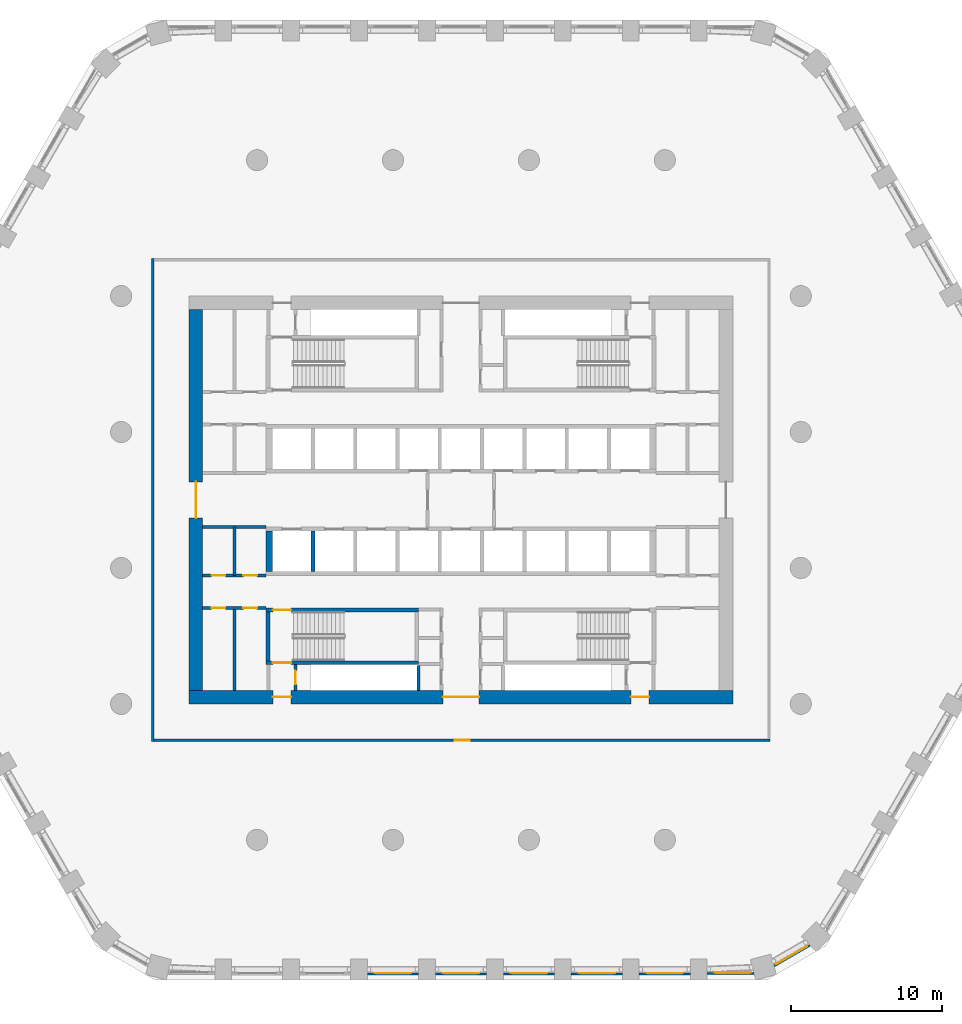
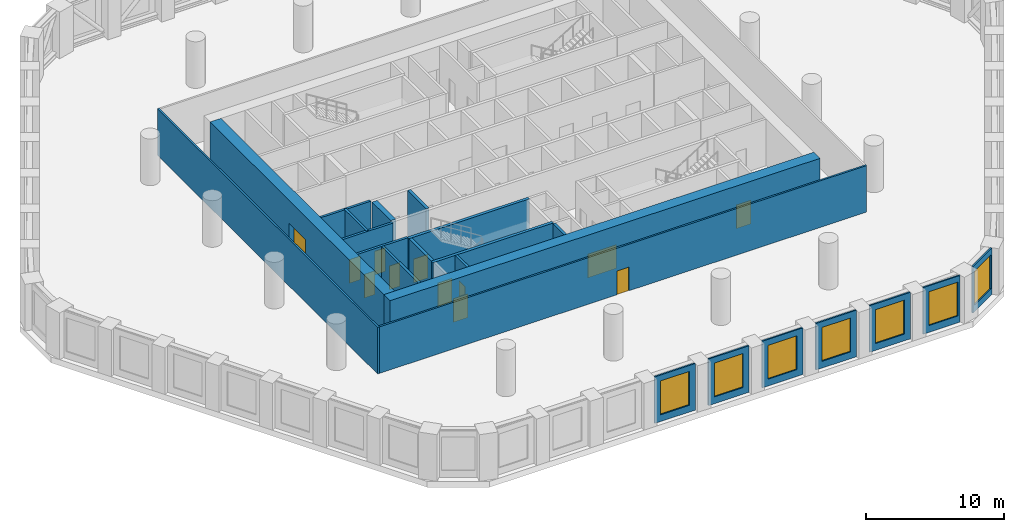
# One storey, part 4 of 18: 23 walls, 12 doors, 7 windows, 19 openings.
"""IFC4 building model written with IfcOpenShell, lengths in metres."""

from ifc_helpers import new_model, si_unit, direction, frame, frame_2d, origin, place, context, subcontext, project, spatial, polyline, rectangle, outline, extrude, material, layer, layer_set, type_object, element, fill, save


model = new_model("IFC4")

# Units and contexts
model_context = context("Model", 3, precision=1e-05, world=origin(), true_north=direction((0.0, 1.0)))
body_context = subcontext(model_context, "Body", "Model", "MODEL_VIEW")
ifc_project = project(units=[si_unit("LENGTHUNIT", "METRE"), si_unit("AREAUNIT", "SQUARE_METRE"), si_unit("VOLUMEUNIT", "CUBIC_METRE"), si_unit("PLANEANGLEUNIT", "RADIAN"), si_unit("MASSUNIT", "GRAM", prefix="KILO")], contexts=[model_context])

# Site, building, storey
site_placement = place(None, origin())
site = spatial("IfcSite", under=ifc_project, at=site_placement, CompositionType="ELEMENT")
building_placement = place(site_placement, origin())
building = spatial("IfcBuilding", under=site, at=building_placement, Name="Dhurran Vertical Campus", CompositionType="ELEMENT")
storey_placement = place(building_placement, frame((0.0, 0.0, 76.800048828125)))
storey = spatial("IfcBuildingStorey", under=building, at=storey_placement, Name="L18 Plant", CompositionType="ELEMENT", Elevation=76.800048828125)

# Wall, opening, window
ifc_material_1 = material(Name="Precast concrete C50/60", Category="concrete")
ifc_layer_1 = layer(ifc_material_1, 0.1201171875)
ifc_layer_set_1 = layer_set([ifc_layer_1], Name="Precast concrete C50/60")
wall_type_1 = type_object("IfcWallType", Name="Precast louvre-bay panel 120", PredefinedType="SOLIDWALL", material=ifc_layer_set_1)
wall_1_placement = place(storey_placement, frame((-6.199462890625, -31.37890625, 0.0), z_axis=(0.0, 0.0, 1.0), x_axis=(1.0, 0.0, 0.0)))
wall_1 = element("IfcWall", 1, at=wall_1_placement, inside=storey, type_object=wall_type_1, Name="EW4 L18.03", PredefinedType="SOLIDWALL", context=body_context, shape_type="SweptSolid", body=[
    extrude(rectangle(XDim=3.39892578125, YDim=0.1201171875, at=frame_2d((1.699462890625, 0.0))), origin(), (0.0, 0.0, 1.0), 4.125),
])
opening_1_placement = place(wall_1_placement, frame((0.49951171875, 0.0, 0.60009765625)))
opening_1 = element("IfcOpeningElement", 2, at=opening_1_placement, cuts=wall_1, Name="Opening WT4", PredefinedType="OPENING", context=body_context, shape_type="SweptSolid", body=[
    extrude(rectangle(XDim=2.39990234375, YDim=3.0, at=frame_2d((1.199951171875, 1.5))), frame((0.0, 0.070068359375, 0.0), z_axis=(0.0, -1.0, 0.0), x_axis=(1.0, 0.0, 0.0)), (0.0, 0.0, 1.0), 0.14013671875),
])
ifc_material_2 = material(Name="Aluminium louvre", Category="aluminium")
window_type = type_object("IfcWindowType", Name="Louvred plant vent 2400 x 3000", PartitioningType="SINGLE_PANEL", PredefinedType="WINDOW", material=ifc_material_2)
window_1_placement = place(opening_1_placement, origin())
window_1 = element("IfcWindow", 3, at=window_1_placement, inside=storey, type_object=window_type, Name="WT4 L18.03", OverallHeight=3.0, OverallWidth=2.39990234375, PartitioningType="SINGLE_PANEL", PredefinedType="WINDOW", context=body_context, shape_type="SweptSolid", body=[
    extrude(rectangle(XDim=2.39990234375, YDim=3.0, at=frame_2d((1.199951171875, 1.5))), frame((0.0, 0.06005859375, 0.0), z_axis=(0.0, -1.0, 0.0), x_axis=(1.0, 0.0, 0.0)), (0.0, 0.0, 1.0), 0.02001953125),
])
fill(opening_1, window_1)

wall_2_placement = place(storey_placement, frame((-1.699462890625, -31.37890625, 0.0), z_axis=(0.0, 0.0, 1.0), x_axis=(1.0, 0.0, 0.0)))
wall_2 = element("IfcWall", 4, at=wall_2_placement, inside=storey, type_object=wall_type_1, Name="EW4 L18.04", PredefinedType="SOLIDWALL", context=body_context, shape_type="SweptSolid", body=[
    extrude(rectangle(XDim=3.39892578125, YDim=0.1201171875, at=frame_2d((1.699462890625, 0.0))), origin(), (0.0, 0.0, 1.0), 4.125),
])
opening_2_placement = place(wall_2_placement, frame((0.49951171875, 0.0, 0.60009765625)))
opening_2 = element("IfcOpeningElement", 5, at=opening_2_placement, cuts=wall_2, Name="Opening WT4", PredefinedType="OPENING", context=body_context, shape_type="SweptSolid", body=[
    extrude(rectangle(XDim=2.39990234375, YDim=3.0, at=frame_2d((1.199951171875, 1.5))), frame((0.0, 0.070068359375, 0.0), z_axis=(0.0, -1.0, 0.0), x_axis=(1.0, 0.0, 0.0)), (0.0, 0.0, 1.0), 0.14013671875),
])
window_2_placement = place(opening_2_placement, origin())
window_2 = element("IfcWindow", 6, at=window_2_placement, inside=storey, type_object=window_type, Name="WT4 L18.04", OverallHeight=3.0, OverallWidth=2.39990234375, PartitioningType="SINGLE_PANEL", PredefinedType="WINDOW", context=body_context, shape_type="SweptSolid", body=[
    extrude(rectangle(XDim=2.39990234375, YDim=3.0, at=frame_2d((1.199951171875, 1.5))), frame((0.0, 0.06005859375, 0.0), z_axis=(0.0, -1.0, 0.0), x_axis=(1.0, 0.0, 0.0)), (0.0, 0.0, 1.0), 0.02001953125),
])
fill(opening_2, window_2)

wall_3_placement = place(storey_placement, frame((2.800537109375, -31.37890625, 0.0), z_axis=(0.0, 0.0, 1.0), x_axis=(1.0, 0.0, 0.0)))
wall_3 = element("IfcWall", 7, at=wall_3_placement, inside=storey, type_object=wall_type_1, Name="EW4 L18.05", PredefinedType="SOLIDWALL", context=body_context, shape_type="SweptSolid", body=[
    extrude(rectangle(XDim=3.39892578125, YDim=0.1201171875, at=frame_2d((1.699462890625, 0.0))), origin(), (0.0, 0.0, 1.0), 4.125),
])
opening_3_placement = place(wall_3_placement, frame((0.49951171875, 0.0, 0.60009765625)))
opening_3 = element("IfcOpeningElement", 8, at=opening_3_placement, cuts=wall_3, Name="Opening WT4", PredefinedType="OPENING", context=body_context, shape_type="SweptSolid", body=[
    extrude(rectangle(XDim=2.39990234375, YDim=3.0, at=frame_2d((1.199951171875, 1.5))), frame((0.0, 0.070068359375, 0.0), z_axis=(0.0, -1.0, 0.0), x_axis=(1.0, 0.0, 0.0)), (0.0, 0.0, 1.0), 0.14013671875),
])
window_3_placement = place(opening_3_placement, origin())
window_3 = element("IfcWindow", 9, at=window_3_placement, inside=storey, type_object=window_type, Name="WT4 L18.05", OverallHeight=3.0, OverallWidth=2.39990234375, PartitioningType="SINGLE_PANEL", PredefinedType="WINDOW", context=body_context, shape_type="SweptSolid", body=[
    extrude(rectangle(XDim=2.39990234375, YDim=3.0, at=frame_2d((1.199951171875, 1.5))), frame((0.0, 0.06005859375, 0.0), z_axis=(0.0, -1.0, 0.0), x_axis=(1.0, 0.0, 0.0)), (0.0, 0.0, 1.0), 0.02001953125),
])
fill(opening_3, window_3)

wall_4_placement = place(storey_placement, frame((7.300537109375, -31.37890625, 0.0), z_axis=(0.0, 0.0, 1.0), x_axis=(1.0, 0.0, 0.0)))
wall_4 = element("IfcWall", 10, at=wall_4_placement, inside=storey, type_object=wall_type_1, Name="EW4 L18.06", PredefinedType="SOLIDWALL", context=body_context, shape_type="SweptSolid", body=[
    extrude(rectangle(XDim=3.39892578125, YDim=0.1201171875, at=frame_2d((1.699462890625, 0.0))), origin(), (0.0, 0.0, 1.0), 4.125),
])
opening_4_placement = place(wall_4_placement, frame((0.49951171875, 0.0, 0.60009765625)))
opening_4 = element("IfcOpeningElement", 11, at=opening_4_placement, cuts=wall_4, Name="Opening WT4", PredefinedType="OPENING", context=body_context, shape_type="SweptSolid", body=[
    extrude(rectangle(XDim=2.39990234375, YDim=3.0, at=frame_2d((1.199951171875, 1.5))), frame((0.0, 0.070068359375, 0.0), z_axis=(0.0, -1.0, 0.0), x_axis=(1.0, 0.0, 0.0)), (0.0, 0.0, 1.0), 0.14013671875),
])
window_4_placement = place(opening_4_placement, origin())
window_4 = element("IfcWindow", 12, at=window_4_placement, inside=storey, type_object=window_type, Name="WT4 L18.06", OverallHeight=3.0, OverallWidth=2.39990234375, PartitioningType="SINGLE_PANEL", PredefinedType="WINDOW", context=body_context, shape_type="SweptSolid", body=[
    extrude(rectangle(XDim=2.39990234375, YDim=3.0, at=frame_2d((1.199951171875, 1.5))), frame((0.0, 0.06005859375, 0.0), z_axis=(0.0, -1.0, 0.0), x_axis=(1.0, 0.0, 0.0)), (0.0, 0.0, 1.0), 0.02001953125),
])
fill(opening_4, window_4)

wall_5_placement = place(storey_placement, frame((11.800537109375, -31.37890625, 0.0), z_axis=(0.0, 0.0, 1.0), x_axis=(1.0, 0.0, 0.0)))
wall_5 = element("IfcWall", 13, at=wall_5_placement, inside=storey, type_object=wall_type_1, Name="EW4 L18.07", PredefinedType="SOLIDWALL", context=body_context, shape_type="SweptSolid", body=[
    extrude(rectangle(XDim=3.39892578125, YDim=0.1201171875, at=frame_2d((1.699462890625, 0.0))), origin(), (0.0, 0.0, 1.0), 4.125),
])
opening_5_placement = place(wall_5_placement, frame((0.49951171875, 0.0, 0.60009765625)))
opening_5 = element("IfcOpeningElement", 14, at=opening_5_placement, cuts=wall_5, Name="Opening WT4", PredefinedType="OPENING", context=body_context, shape_type="SweptSolid", body=[
    extrude(rectangle(XDim=2.39990234375, YDim=3.0, at=frame_2d((1.199951171875, 1.5))), frame((0.0, 0.070068359375, 0.0), z_axis=(0.0, -1.0, 0.0), x_axis=(1.0, 0.0, 0.0)), (0.0, 0.0, 1.0), 0.14013671875),
])
window_5_placement = place(opening_5_placement, origin())
window_5 = element("IfcWindow", 15, at=window_5_placement, inside=storey, type_object=window_type, Name="WT4 L18.07", OverallHeight=3.0, OverallWidth=2.39990234375, PartitioningType="SINGLE_PANEL", PredefinedType="WINDOW", context=body_context, shape_type="SweptSolid", body=[
    extrude(rectangle(XDim=2.39990234375, YDim=3.0, at=frame_2d((1.199951171875, 1.5))), frame((0.0, 0.06005859375, 0.0), z_axis=(0.0, -1.0, 0.0), x_axis=(1.0, 0.0, 0.0)), (0.0, 0.0, 1.0), 0.02001953125),
])
fill(opening_5, window_5)

wall_6_placement = place(storey_placement, frame((16.300537109375, -31.34130859375, 0.0), z_axis=(0.0, 0.0, 1.0), x_axis=(1.0, 0.0, 0.0)))
wall_6 = element("IfcWall", 16, at=wall_6_placement, inside=storey, type_object=wall_type_1, Name="EW4 L18.08", PredefinedType="SOLIDWALL", context=body_context, shape_type="SweptSolid", body=[
    extrude(rectangle(XDim=3.091064453125, YDim=0.1201171875, at=frame_2d((1.54541015625, 0.0))), origin(), (0.0, 0.0, 1.0), 4.125),
])
opening_6_placement = place(wall_6_placement, frame((0.49951171875, 0.0, 0.60009765625)))
opening_6 = element("IfcOpeningElement", 17, at=opening_6_placement, cuts=wall_6, Name="Opening WT4", PredefinedType="OPENING", context=body_context, shape_type="SweptSolid", body=[
    extrude(rectangle(XDim=2.39990234375, YDim=3.0, at=frame_2d((1.199951171875, 1.5))), frame((0.0, 0.070068359375, 0.0), z_axis=(0.0, -1.0, 0.0), x_axis=(1.0, 0.0, 0.0)), (0.0, 0.0, 1.0), 0.14013671875),
])
window_6_placement = place(opening_6_placement, origin())
window_6 = element("IfcWindow", 18, at=window_6_placement, inside=storey, type_object=window_type, Name="WT4 L18.08", OverallHeight=3.0, OverallWidth=2.39990234375, PartitioningType="SINGLE_PANEL", PredefinedType="WINDOW", context=body_context, shape_type="SweptSolid", body=[
    extrude(rectangle(XDim=2.39990234375, YDim=3.0, at=frame_2d((1.199951171875, 1.5))), frame((0.0, 0.06005859375, 0.0), z_axis=(0.0, -1.0, 0.0), x_axis=(1.0, 0.0, 0.0)), (0.0, 0.0, 1.0), 0.02001953125),
])
fill(opening_6, window_6)

wall_7_placement = place(storey_placement, frame((20.7421875, -30.85107421875, 0.0), z_axis=(0.0, 0.0, 1.0), x_axis=(0.866024081565, 0.500002290144, 0.0)))
wall_7 = element("IfcWall", 19, at=wall_7_placement, inside=storey, type_object=wall_type_1, Name="EW4 L18.09", PredefinedType="SOLIDWALL", context=body_context, shape_type="SweptSolid", body=[
    extrude(rectangle(XDim=2.71875, YDim=0.1201171875, at=frame_2d((1.359375, 0.0))), origin(), (0.0, 0.0, 1.0), 4.125),
])
opening_7_placement = place(wall_7_placement, frame((0.159423828125, 0.0, 0.60009765625)))
opening_7 = element("IfcOpeningElement", 20, at=opening_7_placement, cuts=wall_7, Name="Opening WT4", PredefinedType="OPENING", context=body_context, shape_type="SweptSolid", body=[
    extrude(rectangle(XDim=2.39990234375, YDim=3.0, at=frame_2d((1.199951171875, 1.5))), frame((0.0, 0.070068359375, 0.0), z_axis=(0.0, -1.0, 0.0), x_axis=(1.0, 0.0, 0.0)), (0.0, 0.0, 1.0), 0.14013671875),
])
window_7_placement = place(opening_7_placement, origin())
window_7 = element("IfcWindow", 21, at=window_7_placement, inside=storey, type_object=window_type, Name="WT4 L18.09", OverallHeight=3.0, OverallWidth=2.39990234375, PartitioningType="SINGLE_PANEL", PredefinedType="WINDOW", context=body_context, shape_type="SweptSolid", body=[
    extrude(rectangle(XDim=2.39990234375, YDim=3.0, at=frame_2d((1.199951171875, 1.5))), frame((0.0, 0.06005859375, 0.0), z_axis=(0.0, -1.0, 0.0), x_axis=(1.0, 0.0, 0.0)), (0.0, 0.0, 1.0), 0.02001953125),
])
fill(opening_7, window_7)

# Wall, openings, doors
ifc_material_3 = material(Name="Concrete C60/75", Category="concrete")
ifc_layer_2 = layer(ifc_material_3, 0.89990234375)
ifc_layer_set_2 = layer_set([ifc_layer_2], Name="Concrete C60/75")
wall_type_2 = type_object("IfcWallType", Name="co-CORE-WALL-C0-900", PredefinedType="SHEAR", material=ifc_layer_set_2)
wall_8_placement = place(storey_placement, frame((-18.0, -13.050048828125, 0.0), z_axis=(0.0, 0.0, 1.0), x_axis=(1.0, 0.0, 0.0)))
wall_8 = element("IfcWall", 22, at=wall_8_placement, inside=storey, type_object=wall_type_2, Name="Core wall S L18", PredefinedType="SHEAR", context=body_context, shape_type="SweptSolid", body=[
    extrude(rectangle(XDim=36.0, YDim=0.89990234375, at=frame_2d((18.0, 0.0))), origin(), (0.0, 0.0, 1.0), 4.125),
])
opening_8_placement = place(wall_8_placement, frame((16.800048828125, 0.0, 0.0)))
opening_8 = element("IfcOpeningElement", 23, at=opening_8_placement, cuts=wall_8, Name="Opening CV2", PredefinedType="OPENING", context=body_context, shape_type="SweptSolid", body=[
    extrude(rectangle(XDim=2.39990234375, YDim=2.10009765625, at=frame_2d((1.199951171875, 1.050048828125))), frame((0.0, 0.4599609375, 0.0), z_axis=(0.0, -1.0, 0.0), x_axis=(1.0, 0.0, 0.0)), (0.0, 0.0, 1.0), 0.919921875),
])
opening_9_placement = place(wall_8_placement, frame((5.550048828125, 0.0, 0.0)))
opening_9 = element("IfcOpeningElement", 24, at=opening_9_placement, cuts=wall_8, Name="Opening XD3", PredefinedType="OPENING", context=body_context, shape_type="SweptSolid", body=[
    extrude(rectangle(XDim=1.199951171875, YDim=2.10009765625, at=frame_2d((0.60009765625, 1.050048828125))), frame((0.0, 0.4599609375, 0.0), z_axis=(0.0, -1.0, 0.0), x_axis=(1.0, 0.0, 0.0)), (0.0, 0.0, 1.0), 0.919921875),
])
opening_10_placement = place(wall_8_placement, frame((29.25, 0.0, 0.0)))
opening_10 = element("IfcOpeningElement", 25, at=opening_10_placement, cuts=wall_8, Name="Opening XD4", PredefinedType="OPENING", context=body_context, shape_type="SweptSolid", body=[
    extrude(rectangle(XDim=1.199951171875, YDim=2.10009765625, at=frame_2d((0.60009765625, 1.050048828125))), frame((0.0, 0.4599609375, 0.0), z_axis=(0.0, -1.0, 0.0), x_axis=(1.0, 0.0, 0.0)), (0.0, 0.0, 1.0), 0.919921875),
])
ifc_material_4 = material(Name="Fire-rated glazed door set")
door_type_1 = type_object("IfcDoorType", Name="co-D-LOBBY 2400x2100", OperationType="DOUBLE_DOOR_DOUBLE_SWING", PredefinedType="DOOR", material=ifc_material_4)
door_1_placement = place(opening_8_placement, origin())
door_1 = element("IfcDoor", 26, at=door_1_placement, inside=storey, type_object=door_type_1, Name="Core vestibule door S L18", OperationType="DOUBLE_DOOR_DOUBLE_SWING", OverallHeight=2.10009765625, OverallWidth=2.39990234375, PredefinedType="DOOR", context=body_context, shape_type="SweptSolid", body=[
    extrude(rectangle(XDim=2.39990234375, YDim=2.10009765625, at=frame_2d((1.199951171875, 1.050048828125))), frame((0.0, 0.02490234375, 0.0), z_axis=(0.0, -1.0, 0.0), x_axis=(1.0, 0.0, 0.0)), (0.0, 0.0, 1.0), 0.050048828125),
])
fill(opening_8, door_1)
ifc_material_5 = material(Name="Fire-rated steel door set", Category="steel")
door_type_2 = type_object("IfcDoorType", Name="co-D-STAIR-EXIT 1200x2100", OperationType="SINGLE_SWING_RIGHT", PredefinedType="DOOR", material=ifc_material_5)
door_2_placement = place(opening_9_placement, origin())
door_2 = element("IfcDoor", 27, at=door_2_placement, inside=storey, type_object=door_type_2, Name="Stair ST3 exit door L18", OperationType="SINGLE_SWING_RIGHT", OverallHeight=2.10009765625, OverallWidth=1.199951171875, PredefinedType="DOOR", context=body_context, shape_type="SweptSolid", body=[
    extrude(rectangle(XDim=1.199951171875, YDim=2.10009765625, at=frame_2d((0.60009765625, 1.050048828125))), frame((0.0, 0.02490234375, 0.0), z_axis=(0.0, -1.0, 0.0), x_axis=(1.0, 0.0, 0.0)), (0.0, 0.0, 1.0), 0.050048828125),
])
fill(opening_9, door_2)
door_3_placement = place(opening_10_placement, origin())
door_3 = element("IfcDoor", 28, at=door_3_placement, inside=storey, type_object=door_type_2, Name="Stair ST4 exit door L18", OperationType="SINGLE_SWING_RIGHT", OverallHeight=2.10009765625, OverallWidth=1.199951171875, PredefinedType="DOOR", context=body_context, shape_type="SweptSolid", body=[
    extrude(rectangle(XDim=1.199951171875, YDim=2.10009765625, at=frame_2d((0.60009765625, 1.050048828125))), frame((0.0, 0.02490234375, 0.0), z_axis=(0.0, -1.0, 0.0), x_axis=(1.0, 0.0, 0.0)), (0.0, 0.0, 1.0), 0.050048828125),
])
fill(opening_10, door_3)

# Wall, opening, door
wall_9_placement = place(storey_placement, frame((-17.550048828125, -12.60009765625, 0.0), z_axis=(0.0, 0.0, 1.0), x_axis=(0.0, 1.0, 0.0)))
wall_9 = element("IfcWall", 29, at=wall_9_placement, inside=storey, type_object=wall_type_2, Name="Core wall W L18", PredefinedType="SHEAR", context=body_context, shape_type="SweptSolid", body=[
    extrude(rectangle(XDim=25.2001953125, YDim=0.89990234375, at=frame_2d((12.60009765625, 0.0))), origin(), (0.0, 0.0, 1.0), 4.125),
])
opening_11_placement = place(wall_9_placement, frame((11.39990234375, 0.0, 0.0)))
opening_11 = element("IfcOpeningElement", 30, at=opening_11_placement, cuts=wall_9, Name="Opening CL1", PredefinedType="OPENING", context=body_context, shape_type="SweptSolid", body=[
    extrude(rectangle(XDim=2.39990234375, YDim=2.10009765625, at=frame_2d((1.199951171875, 1.050048828125))), frame((0.0, 0.4599609375, 0.0), z_axis=(0.0, -1.0, 0.0), x_axis=(1.0, 0.0, 0.0)), (0.0, 0.0, 1.0), 0.919921875),
])
door_4_placement = place(opening_11_placement, origin())
door_4 = element("IfcDoor", 31, at=door_4_placement, inside=storey, type_object=door_type_1, Name="Lift lobby door W L18", OperationType="DOUBLE_DOOR_DOUBLE_SWING", OverallHeight=2.10009765625, OverallWidth=2.39990234375, PredefinedType="DOOR", context=body_context, shape_type="SweptSolid", body=[
    extrude(rectangle(XDim=2.39990234375, YDim=2.10009765625, at=frame_2d((1.199951171875, 1.050048828125))), frame((0.0, 0.02490234375, 0.0), z_axis=(0.0, -1.0, 0.0), x_axis=(1.0, 0.0, 0.0)), (0.0, 0.0, 1.0), 0.050048828125),
])
fill(opening_11, door_4)

ifc_material_6 = material(Name="Fire-rated masonry blockwork", Category="masonry")
ifc_layer_3 = layer(ifc_material_6, 0.199951171875)
ifc_layer_set_3 = layer_set([ifc_layer_3], Name="Fire-rated masonry blockwork")
wall_type_3 = type_object("IfcWallType", Name="co-FIRE-PARTITION-200", PredefinedType="PARTITIONING", material=ifc_layer_set_3)
wall_10_placement = place(storey_placement, frame((-10.949951171875, -12.60009765625, 0.0), z_axis=(0.0, 0.0, 1.0), x_axis=(0.0, 1.0, 0.0)))
wall_10 = element("IfcWall", 32, at=wall_10_placement, inside=storey, type_object=wall_type_3, Name="Core partition pass-ST3-i L18", PredefinedType="PARTITIONING", context=body_context, shape_type="SweptSolid", body=[
    extrude(rectangle(XDim=1.7001953125, YDim=0.199951171875, at=frame_2d((0.85009765625, 0.0))), origin(), (0.0, 0.0, 1.0), 4.125),
])
opening_12_placement = place(wall_10_placement, frame((0.39990234375, 0.0, 0.0)))
opening_12 = element("IfcOpeningElement", 33, at=opening_12_placement, cuts=wall_10, Name="Opening BR18-C12", PredefinedType="OPENING", context=body_context, shape_type="SweptSolid", body=[
    extrude(rectangle(XDim=0.89990234375, YDim=2.10009765625, at=frame_2d((0.449951171875, 1.050048828125))), frame((0.0, 0.10986328125, 0.0), z_axis=(0.0, -1.0, 0.0), x_axis=(1.0, 0.0, 0.0)), (0.0, 0.0, 1.0), 0.219970703125),
])
ifc_material_7 = material(Name="Fire-rated timber door set", Category="wood")
door_type_3 = type_object("IfcDoorType", Name="co-D-ROOM 900x2100", OperationType="SINGLE_SWING_LEFT", PredefinedType="DOOR", material=ifc_material_7)
door_5_placement = place(opening_12_placement, origin())
door_5 = element("IfcDoor", 34, at=door_5_placement, inside=storey, type_object=door_type_3, Name="Riser room door L18", OperationType="SINGLE_SWING_LEFT", OverallHeight=2.10009765625, OverallWidth=0.89990234375, PredefinedType="DOOR", context=body_context, shape_type="SweptSolid", body=[
    extrude(rectangle(XDim=0.89990234375, YDim=2.10009765625, at=frame_2d((0.449951171875, 1.050048828125))), frame((0.0, 0.02490234375, 0.0), z_axis=(0.0, -1.0, 0.0), x_axis=(1.0, 0.0, 0.0)), (0.0, 0.0, 1.0), 0.050048828125),
])
fill(opening_12, door_5)

# Wall
wall_11_placement = place(storey_placement, frame((-15.0, -12.60009765625, 0.0), z_axis=(0.0, 0.0, 1.0), x_axis=(0.0, 1.0, 0.0)))
element("IfcWall", 35, at=wall_11_placement, inside=storey, type_object=wall_type_3, Name="Core partition en-SW-cut0 L18", PredefinedType="PARTITIONING", context=body_context, shape_type="SweptSolid", body=[
    extrude(rectangle(XDim=5.4501953125, YDim=0.199951171875, at=frame_2d((2.72509765625, 0.0))), origin(), (0.0, 0.0, 1.0), 4.125),
])

# Wall, openings, doors
wall_12_placement = place(storey_placement, frame((-17.10009765625, -7.14990234375, 0.0), z_axis=(0.0, 0.0, 1.0), x_axis=(1.0, 0.0, 0.0)))
wall_12 = element("IfcWall", 36, at=wall_12_placement, inside=storey, type_object=wall_type_3, Name="Core partition en-SW-w L18", PredefinedType="PARTITIONING", context=body_context, shape_type="SweptSolid", body=[
    extrude(rectangle(XDim=4.2001953125, YDim=0.199951171875, at=frame_2d((2.10009765625, 0.0))), origin(), (0.0, 0.0, 1.0), 4.125),
])
opening_13_placement = place(wall_12_placement, frame((0.60009765625, 0.0, 0.0)))
opening_13 = element("IfcOpeningElement", 37, at=opening_13_placement, cuts=wall_12, Name="Opening BR18-C22", PredefinedType="OPENING", context=body_context, shape_type="SweptSolid", body=[
    extrude(rectangle(XDim=0.89990234375, YDim=2.10009765625, at=frame_2d((0.449951171875, 1.050048828125))), frame((0.0, 0.10986328125, 0.0), z_axis=(0.0, -1.0, 0.0), x_axis=(1.0, 0.0, 0.0)), (0.0, 0.0, 1.0), 0.219970703125),
])
opening_14_placement = place(wall_12_placement, frame((2.699951171875, 0.0, 0.0)))
opening_14 = element("IfcOpeningElement", 38, at=opening_14_placement, cuts=wall_12, Name="Opening BR18-C23", PredefinedType="OPENING", context=body_context, shape_type="SweptSolid", body=[
    extrude(rectangle(XDim=0.89990234375, YDim=2.10009765625, at=frame_2d((0.449951171875, 1.050048828125))), frame((0.0, 0.10986328125, 0.0), z_axis=(0.0, -1.0, 0.0), x_axis=(1.0, 0.0, 0.0)), (0.0, 0.0, 1.0), 0.219970703125),
])
door_6_placement = place(opening_13_placement, origin())
door_6 = element("IfcDoor", 39, at=door_6_placement, inside=storey, type_object=door_type_3, Name="Electrical plant room door L18", OperationType="SINGLE_SWING_LEFT", OverallHeight=2.10009765625, OverallWidth=0.89990234375, PredefinedType="DOOR", context=body_context, shape_type="SweptSolid", body=[
    extrude(rectangle(XDim=0.89990234375, YDim=2.10009765625, at=frame_2d((0.449951171875, 1.050048828125))), frame((0.0, 0.02490234375, 0.0), z_axis=(0.0, -1.0, 0.0), x_axis=(1.0, 0.0, 0.0)), (0.0, 0.0, 1.0), 0.050048828125),
])
fill(opening_13, door_6)
door_7_placement = place(opening_14_placement, origin())
door_7 = element("IfcDoor", 40, at=door_7_placement, inside=storey, type_object=door_type_3, Name="Water tank room door L18", OperationType="SINGLE_SWING_LEFT", OverallHeight=2.10009765625, OverallWidth=0.89990234375, PredefinedType="DOOR", context=body_context, shape_type="SweptSolid", body=[
    extrude(rectangle(XDim=0.89990234375, YDim=2.10009765625, at=frame_2d((0.449951171875, 1.050048828125))), frame((0.0, 0.02490234375, 0.0), z_axis=(0.0, -1.0, 0.0), x_axis=(1.0, 0.0, 0.0)), (0.0, 0.0, 1.0), 0.050048828125),
])
fill(opening_14, door_7)

# Wall
wall_13_placement = place(storey_placement, frame((-15.0, -5.0, 0.0), z_axis=(0.0, 0.0, 1.0), x_axis=(0.0, 1.0, 0.0)))
element("IfcWall", 41, at=wall_13_placement, inside=storey, type_object=wall_type_3, Name="Core partition es-SW-cut0 L18", PredefinedType="PARTITIONING", context=body_context, shape_type="SweptSolid", body=[
    extrude(rectangle(XDim=3.199951171875, YDim=0.199951171875, at=frame_2d((1.60009765625, 0.0))), origin(), (0.0, 0.0, 1.0), 4.125),
])

# Wall, openings, doors
wall_14_placement = place(storey_placement, frame((-17.10009765625, -5.0, 0.0), z_axis=(0.0, 0.0, 1.0), x_axis=(1.0, 0.0, 0.0)))
wall_14 = element("IfcWall", 42, at=wall_14_placement, inside=storey, type_object=wall_type_3, Name="Core partition es-SW-w L18", PredefinedType="PARTITIONING", context=body_context, shape_type="SweptSolid", body=[
    extrude(rectangle(XDim=4.2001953125, YDim=0.199951171875, at=frame_2d((2.10009765625, 0.0))), origin(), (0.0, 0.0, 1.0), 4.125),
])
opening_15_placement = place(wall_14_placement, frame((0.60009765625, 0.0, 0.0)))
opening_15 = element("IfcOpeningElement", 43, at=opening_15_placement, cuts=wall_14, Name="Opening BR18-C24", PredefinedType="OPENING", context=body_context, shape_type="SweptSolid", body=[
    extrude(rectangle(XDim=0.89990234375, YDim=2.10009765625, at=frame_2d((0.449951171875, 1.050048828125))), frame((0.0, 0.10986328125, 0.0), z_axis=(0.0, -1.0, 0.0), x_axis=(1.0, 0.0, 0.0)), (0.0, 0.0, 1.0), 0.219970703125),
])
opening_16_placement = place(wall_14_placement, frame((2.699951171875, 0.0, 0.0)))
opening_16 = element("IfcOpeningElement", 44, at=opening_16_placement, cuts=wall_14, Name="Opening BR18-C25", PredefinedType="OPENING", context=body_context, shape_type="SweptSolid", body=[
    extrude(rectangle(XDim=0.89990234375, YDim=2.10009765625, at=frame_2d((0.449951171875, 1.050048828125))), frame((0.0, 0.10986328125, 0.0), z_axis=(0.0, -1.0, 0.0), x_axis=(1.0, 0.0, 0.0)), (0.0, 0.0, 1.0), 0.219970703125),
])
door_8_placement = place(opening_15_placement, origin())
door_8 = element("IfcDoor", 45, at=door_8_placement, inside=storey, type_object=door_type_3, Name="Air handling plant room door L18", OperationType="SINGLE_SWING_LEFT", OverallHeight=2.10009765625, OverallWidth=0.89990234375, PredefinedType="DOOR", context=body_context, shape_type="SweptSolid", body=[
    extrude(rectangle(XDim=0.89990234375, YDim=2.10009765625, at=frame_2d((0.449951171875, 1.050048828125))), frame((0.0, 0.02490234375, 0.0), z_axis=(0.0, -1.0, 0.0), x_axis=(1.0, 0.0, 0.0)), (0.0, 0.0, 1.0), 0.050048828125),
])
fill(opening_15, door_8)
door_9_placement = place(opening_16_placement, origin())
door_9 = element("IfcDoor", 46, at=door_9_placement, inside=storey, type_object=door_type_3, Name="Transformer room door L18", OperationType="SINGLE_SWING_LEFT", OverallHeight=2.10009765625, OverallWidth=0.89990234375, PredefinedType="DOOR", context=body_context, shape_type="SweptSolid", body=[
    extrude(rectangle(XDim=0.89990234375, YDim=2.10009765625, at=frame_2d((0.449951171875, 1.050048828125))), frame((0.0, 0.02490234375, 0.0), z_axis=(0.0, -1.0, 0.0), x_axis=(1.0, 0.0, 0.0)), (0.0, 0.0, 1.0), 0.050048828125),
])
fill(opening_16, door_9)

# Walls
wall_15_placement = place(storey_placement, frame((-17.10009765625, -1.800048828125, 0.0), z_axis=(0.0, 0.0, 1.0), x_axis=(1.0, 0.0, 0.0)))
element("IfcWall", 47, at=wall_15_placement, inside=storey, type_object=wall_type_3, Name="Core partition es-SW-l L18", PredefinedType="PARTITIONING", context=body_context, shape_type="SweptSolid", body=[
    extrude(rectangle(XDim=4.2001953125, YDim=0.199951171875, at=frame_2d((2.10009765625, 0.0))), origin(), (0.0, 0.0, 1.0), 4.125),
])
wall_16_placement = place(storey_placement, frame((-2.800048828125, -12.59912109375, 0.0), z_axis=(0.0, 0.0, 1.0), x_axis=(0.0, 1.0, 0.0)))
element("IfcWall", 48, at=wall_16_placement, inside=storey, type_object=wall_type_3, Name="Riser enclosure wall L18", PredefinedType="PARTITIONING", context=body_context, shape_type="SweptSolid", body=[
    extrude(rectangle(XDim=1.630615234375, YDim=0.199951171875, at=frame_2d((0.8154296875, 0.0))), origin(), (0.0, 0.0, 1.0), 4.125),
])
ifc_material_8 = material(Name="Concrete C50/60", Category="concrete")
ifc_layer_4 = layer(ifc_material_8, 0.25)
ifc_layer_set_4 = layer_set([ifc_layer_4], Name="Concrete C50/60")
wall_type_4 = type_object("IfcWallType", Name="co-SHAFT-MASS-250", PredefinedType="SHEAR", material=ifc_layer_set_4)
wall_17_placement = place(storey_placement, origin())
element("IfcWall", 49, at=wall_17_placement, inside=storey, type_object=wall_type_4, Name="Lift shaft wall S L18 2", PredefinedType="SHEAR", context=body_context, shape_type="SweptSolid", body=[
    extrude(outline(polyline([(-12.89990234375, -4.75), (-12.47509765625, -4.75), (-12.47509765625, -2.050048828125), (-12.89990234375, -2.050048828125), (-12.89990234375, -4.75)])), origin(), (0.0, 0.0, 1.0), 4.125),
])
wall_18_placement = place(storey_placement, origin())
element("IfcWall", 50, at=wall_18_placement, inside=storey, type_object=wall_type_4, Name="Lift shaft wall S L18 3", PredefinedType="SHEAR", context=body_context, shape_type="SweptSolid", body=[
    extrude(outline(polyline([(-9.925048828125, -4.75), (-9.675048828125, -4.75), (-9.675048828125, -2.050048828125), (-9.925048828125, -2.050048828125), (-9.925048828125, -4.75)])), origin(), (0.0, 0.0, 1.0), 4.125),
])

# Wall, opening, door
ifc_material_9 = material(Name="Concrete C40/50", Category="concrete")
ifc_layer_5 = layer(ifc_material_9, 0.25)
ifc_layer_set_5 = layer_set([ifc_layer_5], Name="Concrete C40/50")
wall_type_5 = type_object("IfcWallType", Name="co-STAIR-WALL-250", PredefinedType="SHEAR", material=ifc_layer_set_5)
wall_19_placement = place(storey_placement, frame((-12.89990234375, -10.77490234375, 0.0), z_axis=(0.0, 0.0, 1.0), x_axis=(1.0, 0.0, 0.0)))
wall_19 = element("IfcWall", 51, at=wall_19_placement, inside=storey, type_object=wall_type_5, Name="Stair ST3 enclosure wall L18", PredefinedType="SHEAR", context=body_context, shape_type="SweptSolid", body=[
    extrude(rectangle(XDim=10.099853515625, YDim=0.25, at=frame_2d((5.0498046875, 0.0))), origin(), (0.0, 0.0, 1.0), 4.125),
])
opening_17_placement = place(wall_19_placement, frame((0.449951171875, 0.0, 0.0)))
opening_17 = element("IfcOpeningElement", 52, at=opening_17_placement, cuts=wall_19, Name="Opening XS3", PredefinedType="OPENING", context=body_context, shape_type="SweptSolid", body=[
    extrude(rectangle(XDim=1.199951171875, YDim=2.10009765625, at=frame_2d((0.60009765625, 1.050048828125))), frame((0.0, 0.135009765625, 0.0), z_axis=(0.0, -1.0, 0.0), x_axis=(1.0, 0.0, 0.0)), (0.0, 0.0, 1.0), 0.27001953125),
])
door_10_placement = place(opening_17_placement, origin())
door_10 = element("IfcDoor", 53, at=door_10_placement, inside=storey, type_object=door_type_2, Name="Stair ST3 discharge door L18", OperationType="SINGLE_SWING_RIGHT", OverallHeight=2.10009765625, OverallWidth=1.199951171875, PredefinedType="DOOR", context=body_context, shape_type="SweptSolid", body=[
    extrude(rectangle(XDim=1.199951171875, YDim=2.10009765625, at=frame_2d((0.60009765625, 1.050048828125))), frame((0.0, 0.02490234375, 0.0), z_axis=(0.0, -1.0, 0.0), x_axis=(1.0, 0.0, 0.0)), (0.0, 0.0, 1.0), 0.050048828125),
])
fill(opening_17, door_10)

wall_20_placement = place(storey_placement, frame((-12.89990234375, -7.27490234375, 0.0), z_axis=(0.0, 0.0, 1.0), x_axis=(1.0, 0.0, 0.0)))
wall_20 = element("IfcWall", 54, at=wall_20_placement, inside=storey, type_object=wall_type_5, Name="Stair ST3 enclosure wall L18", PredefinedType="SHEAR", context=body_context, shape_type="SweptSolid", body=[
    extrude(rectangle(XDim=10.099853515625, YDim=0.25, at=frame_2d((5.0498046875, 0.0))), origin(), (0.0, 0.0, 1.0), 4.125),
])
opening_18_placement = place(wall_20_placement, frame((0.449951171875, 0.0, 0.0)))
opening_18 = element("IfcOpeningElement", 55, at=opening_18_placement, cuts=wall_20, Name="Opening SD3", PredefinedType="OPENING", context=body_context, shape_type="SweptSolid", body=[
    extrude(rectangle(XDim=1.199951171875, YDim=2.10009765625, at=frame_2d((0.60009765625, 1.050048828125))), frame((0.0, 0.135009765625, 0.0), z_axis=(0.0, -1.0, 0.0), x_axis=(1.0, 0.0, 0.0)), (0.0, 0.0, 1.0), 0.27001953125),
])
ifc_material_10 = material(Name="Fire-rated steel door set", Category="steel")
door_type_4 = type_object("IfcDoorType", Name="co-D-STAIR 1200x2100", OperationType="SINGLE_SWING_LEFT", PredefinedType="DOOR", material=ifc_material_10)
door_11_placement = place(opening_18_placement, origin())
door_11 = element("IfcDoor", 56, at=door_11_placement, inside=storey, type_object=door_type_4, Name="Stair ST3 door L18", OperationType="SINGLE_SWING_LEFT", OverallHeight=2.10009765625, OverallWidth=1.199951171875, PredefinedType="DOOR", context=body_context, shape_type="SweptSolid", body=[
    extrude(rectangle(XDim=1.199951171875, YDim=2.10009765625, at=frame_2d((0.60009765625, 1.050048828125))), frame((0.0, 0.02490234375, 0.0), z_axis=(0.0, -1.0, 0.0), x_axis=(1.0, 0.0, 0.0)), (0.0, 0.0, 1.0), 0.050048828125),
])
fill(opening_18, door_11)

# Walls
wall_21_placement = place(storey_placement, frame((-12.77490234375, -10.64990234375, 0.0), z_axis=(0.0, 0.0, 1.0), x_axis=(0.0, 1.0, 0.0)))
element("IfcWall", 57, at=wall_21_placement, inside=storey, type_object=wall_type_5, Name="Stair ST3 enclosure wall L18", PredefinedType="SHEAR", context=body_context, shape_type="SweptSolid", body=[
    extrude(rectangle(XDim=3.25, YDim=0.25, at=frame_2d((1.625, 0.0))), origin(), (0.0, 0.0, 1.0), 4.125),
])
ifc_material_11 = material(Name="Gypsum board corridor wall on steel studs", Category="steel")
ifc_layer_6 = layer(ifc_material_11, 0.14990234375)
ifc_layer_set_6 = layer_set([ifc_layer_6], Name="Gypsum board corridor wall on steel studs")
wall_type_6 = type_object("IfcWallType", Name="fl-CW-150 corridor wall", PredefinedType="PARTITIONING", material=ifc_layer_set_6)
wall_22_placement = place(storey_placement, frame((-20.39990234375, 15.97509765625, 0.0), z_axis=(0.0, 0.0, 1.0), x_axis=(0.0, -1.0, 0.0)))
element("IfcWall", 58, at=wall_22_placement, inside=storey, type_object=wall_type_6, Name="Partition 18-01", PredefinedType="PARTITIONING", context=body_context, shape_type="SweptSolid", body=[
    extrude(rectangle(XDim=31.9501953125, YDim=0.14990234375, at=frame_2d((15.97509765625, 0.0))), origin(), (0.0, 0.0, 1.0), 4.125),
])

# Wall, opening, door
wall_23_placement = place(storey_placement, frame((-20.324951171875, -15.89990234375, 0.0), z_axis=(0.0, 0.0, 1.0), x_axis=(1.0, 0.0, 0.0)))
wall_23 = element("IfcWall", 59, at=wall_23_placement, inside=storey, type_object=wall_type_6, Name="Partition 18-02", PredefinedType="PARTITIONING", context=body_context, shape_type="SweptSolid", body=[
    extrude(rectangle(XDim=40.800048828125, YDim=0.14990234375, at=frame_2d((20.39990234375, 0.0))), origin(), (0.0, 0.0, 1.0), 4.125),
])
opening_19_placement = place(wall_23_placement, frame((19.89990234375, 0.0, 0.0)))
opening_19 = element("IfcOpeningElement", 60, at=opening_19_placement, cuts=wall_23, Name="Opening BR18.01", PredefinedType="OPENING", context=body_context, shape_type="SweptSolid", body=[
    extrude(rectangle(XDim=1.0, YDim=2.10009765625, at=frame_2d((0.5, 1.050048828125))), frame((0.0, 0.0849609375, 0.0), z_axis=(0.0, -1.0, 0.0), x_axis=(1.0, 0.0, 0.0)), (0.0, 0.0, 1.0), 0.169921875),
])
ifc_material_12 = material(Name="Solid-core timber door set, fire-rated", Category="wood")
door_type_5 = type_object("IfcDoorType", Name="fl-D-1000x2100", OperationType="SINGLE_SWING_LEFT", PredefinedType="DOOR", material=ifc_material_12)
door_12_placement = place(opening_19_placement, origin())
door_12 = element("IfcDoor", 61, at=door_12_placement, inside=storey, type_object=door_type_5, Name="Door 18.01", OperationType="SINGLE_SWING_LEFT", OverallHeight=2.10009765625, OverallWidth=1.0, PredefinedType="DOOR", context=body_context, shape_type="SweptSolid", body=[
    extrude(rectangle(XDim=1.0, YDim=2.10009765625, at=frame_2d((0.5, 1.050048828125))), frame((0.0, 0.02490234375, 0.0), z_axis=(0.0, -1.0, 0.0), x_axis=(1.0, 0.0, 0.0)), (0.0, 0.0, 1.0), 0.050048828125),
])
fill(opening_19, door_12)

save(model, "model.ifc")
